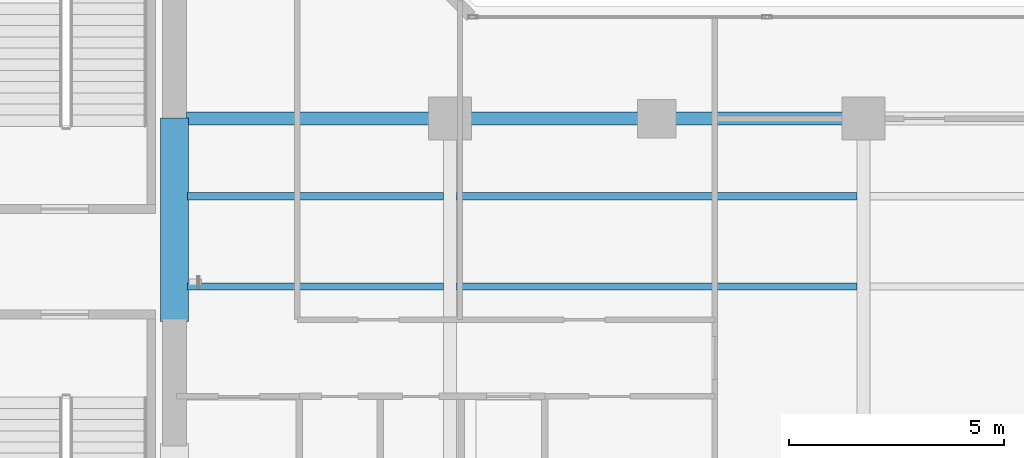
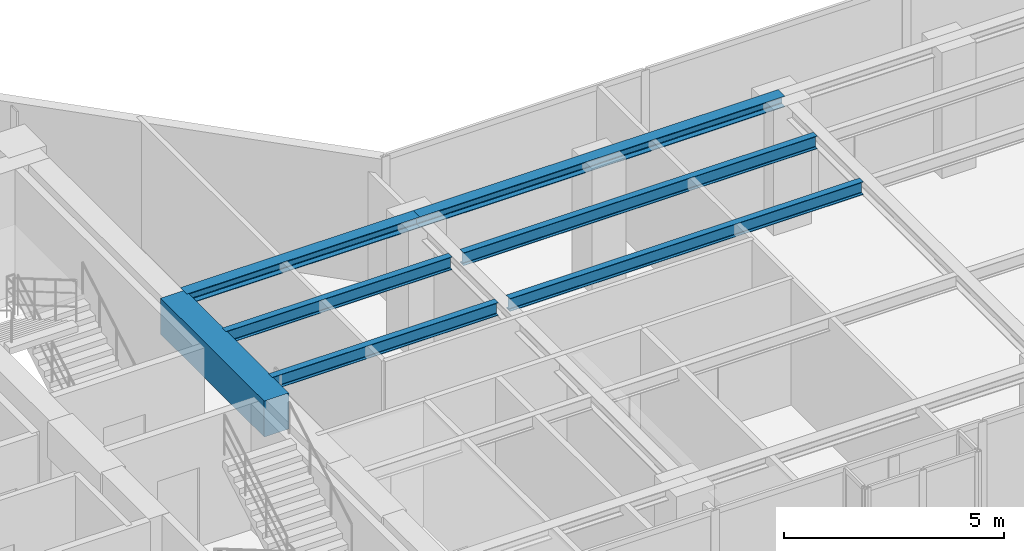
# One storey, part 6 of 22: 7 beams.
"""IFC4 building model written with IfcOpenShell, lengths in metres."""

from ifc_helpers import new_model, si_unit, direction, frame, origin, origin_2d, place, context, subcontext, project, spatial, rectangle, i_section, extrude, material, material_profile, profile_set, type_object, element, save


model = new_model("IFC4")

# Units and contexts
model_context = context("Model", 3, precision=1e-05, world=origin(), true_north=direction((0.0, 1.0)))
body_context = subcontext(model_context, "Body", "Model", "MODEL_VIEW")
ifc_project = project(units=[si_unit("LENGTHUNIT", "METRE"), si_unit("AREAUNIT", "SQUARE_METRE"), si_unit("VOLUMEUNIT", "CUBIC_METRE"), si_unit("PLANEANGLEUNIT", "RADIAN"), si_unit("MASSUNIT", "GRAM", prefix="KILO")], contexts=[model_context])

# Site, building, storey
site_placement = place(None, origin())
site = spatial("IfcSite", under=ifc_project, at=site_placement, CompositionType="ELEMENT")
building_placement = place(site_placement, origin())
building = spatial("IfcBuilding", under=site, at=building_placement, Name="Kolvaren Waterfront Exchange", CompositionType="ELEMENT")
storey_placement = place(building_placement, frame((0.0, 0.0, 219.699951171875)))
storey = spatial("IfcBuildingStorey", under=building, at=storey_placement, Name="L56", CompositionType="ELEMENT", Elevation=219.699951171875)

# Beams
ifc_material_1 = material(Name="Steel S355", Category="steel")
ifc_material_profile_1 = material_profile(ifc_material_1, i_section(OverallWidth=0.300048828125, OverallDepth=0.300048828125, WebThickness=0.010986328125, FlangeThickness=0.01904296875, FilletRadius=0.027099609375, at=origin_2d()), Name="HEB300")
ifc_profile_set_1 = profile_set([ifc_material_profile_1], Name="Steel S355")
beam_type_1 = type_object("IfcBeamType", Name="STR-BM-HEB300", PredefinedType="SPANDREL", material=ifc_profile_set_1)
beam_1_placement = place(storey_placement, frame((21.074951171875, 17.39990234375, 3.35009765625), z_axis=(1.0, 0.0, 0.0), x_axis=(0.0, 1.0, 0.0)))
element("IfcBeam", 1, at=beam_1_placement, inside=storey, type_object=beam_type_1, Name="L56 east-arm spandrel N1", PredefinedType="SPANDREL", context=body_context, shape_type="SweptSolid", body=[
    extrude(i_section(OverallWidth=0.300048828125, OverallDepth=0.300048828125, WebThickness=0.010986328125, FlangeThickness=0.01904296875, FilletRadius=0.027099609375, at=origin_2d()), origin(), (0.0, 0.0, 1.0), 6.125),
])
beam_2_placement = place(storey_placement, frame((27.199951171875, 17.39990234375, 3.35009765625), z_axis=(1.0, 0.0, 0.0), x_axis=(0.0, 1.0, 0.0)))
element("IfcBeam", 2, at=beam_2_placement, inside=storey, type_object=beam_type_1, Name="L56 east-arm spandrel N2", PredefinedType="SPANDREL", context=body_context, shape_type="SweptSolid", body=[
    extrude(i_section(OverallWidth=0.300048828125, OverallDepth=0.300048828125, WebThickness=0.010986328125, FlangeThickness=0.01904296875, FilletRadius=0.027099609375, at=origin_2d()), origin(), (0.0, 0.0, 1.0), 9.60009765625),
])
ifc_material_profile_2 = material_profile(ifc_material_1, i_section(OverallWidth=0.169921875, OverallDepth=0.360107421875, WebThickness=0.008056640625, FlangeThickness=0.0126953125, FilletRadius=0.01806640625, at=origin_2d()), Name="IPE360")
ifc_profile_set_2 = profile_set([ifc_material_profile_2], Name="Steel S355")
beam_type_2 = type_object("IfcBeamType", Name="STR-BM-IPE360", PredefinedType="JOIST", material=ifc_profile_set_2)
for number, where, z_axis, x_axis, name in (
    (3, (21.10009765625, 13.5, 3.320068359375), (1.0, 0.0, 0.0), (0.0, 1.0, 0.0), "L56 east-arm composite joist 1A"),
    (4, (21.10009765625, 15.60009765625, 3.320068359375), (1.0, 0.0, 0.0), (0.0, 1.0, 0.0), "L56 east-arm composite joist 1C"),
):
    element("IfcBeam", number, at=place(storey_placement, frame(where, z_axis=z_axis, x_axis=x_axis)), inside=storey, type_object=beam_type_2, Name=name, PredefinedType="JOIST", context=body_context, shape_type="SweptSolid", body=[
        extrude(i_section(OverallWidth=0.169921875, OverallDepth=0.360107421875, WebThickness=0.008056640625, FlangeThickness=0.0126953125, FilletRadius=0.01806640625, at=origin_2d()), origin(), (0.0, 0.0, 1.0), 5.947998046875),
    ])
for number, where, z_axis, x_axis, name in (
    (5, (27.35205078125, 13.5, 3.320068359375), (1.0, 0.0, 0.0), (0.0, 1.0, 0.0), "L56 east-arm composite joist 2A"),
    (6, (27.35205078125, 15.60009765625, 3.320068359375), (1.0, 0.0, 0.0), (0.0, 1.0, 0.0), "L56 east-arm composite joist 2C"),
):
    element("IfcBeam", number, at=place(storey_placement, frame(where, z_axis=z_axis, x_axis=x_axis)), inside=storey, type_object=beam_type_2, Name=name, PredefinedType="JOIST", context=body_context, shape_type="SweptSolid", body=[
        extrude(i_section(OverallWidth=0.169921875, OverallDepth=0.360107421875, WebThickness=0.008056640625, FlangeThickness=0.0126953125, FilletRadius=0.01806640625, at=origin_2d()), origin(), (0.0, 0.0, 1.0), 9.2958984375),
    ])
ifc_material_2 = material(Name="Concrete C60/75", Category="concrete")
ifc_material_profile_3 = material_profile(ifc_material_2, rectangle(XDim=0.64990234375, YDim=1.0, at=origin_2d()), Name="RC-CB-1000x650")
ifc_profile_set_3 = profile_set([ifc_material_profile_3], Name="Concrete C60/75")
beam_type_3 = type_object("IfcBeamType", Name="STR-CB-1000", PredefinedType="SPANDREL", material=ifc_profile_set_3)
beam_3_placement = place(storey_placement, frame((20.800048828125, 12.68994140625, 3.0), z_axis=(0.0, 1.0, 0.0), x_axis=(-1.0, 0.0, 0.0)))
element("IfcBeam", 7, at=beam_3_placement, inside=storey, type_object=beam_type_3, Name="L56 core coupling beam 2", PredefinedType="SPANDREL", context=body_context, shape_type="SweptSolid", body=[
    extrude(rectangle(XDim=0.64990234375, YDim=1.0, at=origin_2d()), origin(), (0.0, 0.0, 1.0), 4.719970703125),
])

save(model, "model.ifc")
